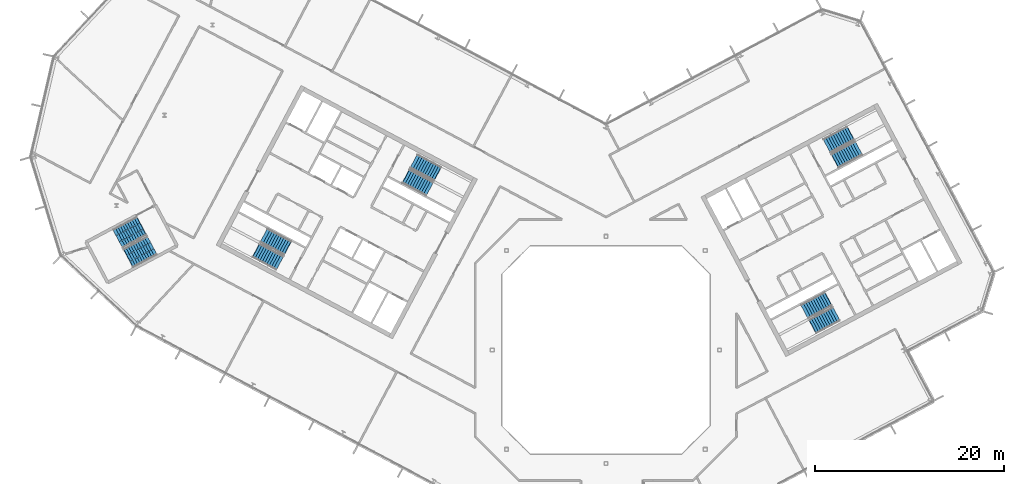
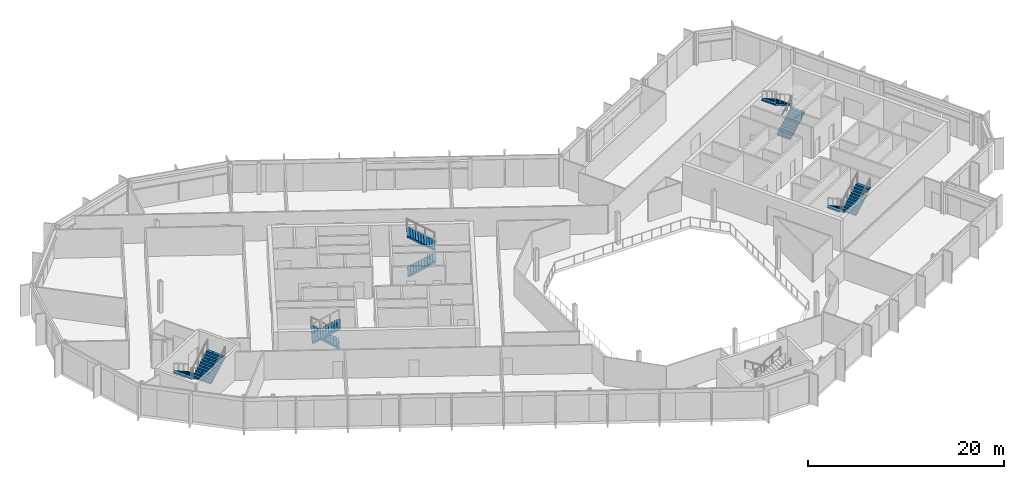
# One storey, part 18 of 26: 10 stair flights, 5 elements without a shape of their own.
"""IFC4 building model written with IfcOpenShell, lengths in metres."""

import ifcopenshell
import ifcopenshell.guid

model = None  # the IFC model being written
_history = None  # IfcOwnerHistory: only IFC2X3 demands one
_inside = {}  # id of a spatial element -> (the spatial element, [elements in it])
_under = {}  # id of a project, library or spatial element -> (it, [spatial elements below it])
_declared = {}  # id of a project -> (the project, [libraries it declares])
_typed = {}  # id of a type object -> (the type object, [elements of that type])
_made_of = {}  # id of a material, layer set ... -> (it, [elements and type objects made of it])


def new_model(schema):
    """Start an empty IFC model of exactly this schema.

    Asked for "IFC4X3", IfcOpenShell would pick the latest addendum, in which some entities
    have other attributes; the version numbers below select the first issue.
    IFC2X3 requires an IfcOwnerHistory on every rooted entity: one is made here for all.
    """
    global model, _history
    if schema == "IFC4X3":
        model = ifcopenshell.file(schema_version=(4, 3, 0, 0))
    else:
        model = ifcopenshell.file(schema=schema)
    _inside.clear()
    _under.clear()
    _declared.clear()
    _typed.clear()
    _made_of.clear()
    _history = None
    if model.schema == "IFC2X3":
        org = make("IfcOrganization", Name="unknown")
        user = make(
            "IfcPersonAndOrganization",
            ThePerson=make("IfcPerson", FamilyName="unknown"),
            TheOrganization=org,
        )
        app = make(
            "IfcApplication",
            ApplicationDeveloper=org,
            Version="unknown",
            ApplicationFullName="unknown",
            ApplicationIdentifier="unknown",
        )
        _history = make(
            "IfcOwnerHistory",
            OwningUser=user,
            OwningApplication=app,
            ChangeAction="ADDED",
            CreationDate=0,
        )
    return model


def make(cls, **values):
    """One entity of the class cls with the attributes given. An attribute that is None is left unset."""
    return model.create_entity(
        cls, **{name: value for name, value in values.items() if value is not None}
    )


def rooted(cls, **values):
    """An entity with a GlobalId (a new one), such as an element, a storey or a relation."""
    return make(cls, GlobalId=ifcopenshell.guid.new(), OwnerHistory=_history, **values)


def si_unit(unit_type, name, prefix=None):
    """IfcSIUnit, for example si_unit("LENGTHUNIT", "METRE", prefix="MILLI")."""
    return make("IfcSIUnit", UnitType=unit_type, Prefix=prefix, Name=name)


def assignment(units):
    """IfcUnitAssignment: the units of a project."""
    return None if units is None else make("IfcUnitAssignment", Units=units)


def point(xyz):
    """IfcCartesianPoint."""
    return None if xyz is None else make("IfcCartesianPoint", Coordinates=xyz)


def direction(xyz):
    """IfcDirection."""
    return None if xyz is None else make("IfcDirection", DirectionRatios=xyz)


def frame(location, z_axis=None, x_axis=None):
    """IfcAxis2Placement3D, a coordinate frame: its origin and axes. An axis left out is left unset."""
    return make(
        "IfcAxis2Placement3D",
        Location=point(location),
        Axis=direction(z_axis),
        RefDirection=direction(x_axis),
    )


def origin():
    """The frame at (0, 0, 0) with its axes left unset."""
    return frame((0.0, 0.0, 0.0))


def place(relative_to, where):
    """IfcLocalPlacement: puts the frame where relative to a parent placement (None: the world)."""
    return make(
        "IfcLocalPlacement", PlacementRelTo=relative_to, RelativePlacement=where
    )


def context(
    kind, dimensions, precision=None, world=None, true_north=None, identifier=None
):
    """IfcGeometricRepresentationContext, for example the 3D "Model" context."""
    return make(
        "IfcGeometricRepresentationContext",
        ContextIdentifier=identifier,
        ContextType=kind,
        CoordinateSpaceDimension=dimensions,
        Precision=precision,
        WorldCoordinateSystem=world,
        TrueNorth=true_north,
    )


def subcontext(parent, identifier, kind, view, scale=None):
    """IfcGeometricRepresentationSubContext, for example "Body" below "Model"."""
    return make(
        "IfcGeometricRepresentationSubContext",
        ContextIdentifier=identifier,
        ContextType=kind,
        ParentContext=parent,
        TargetScale=scale,
        TargetView=view,
    )


def project(units=None, contexts=None):
    """IfcProject with its units and contexts."""
    return rooted(
        "IfcProject",
        Name="project",
        RepresentationContexts=contexts,
        UnitsInContext=assignment(units),
    )


def spatial(cls, under=None, at=None, **own):
    """A site, building, storey or space (cls), placed at a placement, below another one or the project."""
    s = rooted(cls, ObjectPlacement=at, **own)
    if under is not None:
        _under.setdefault(under.id(), (under, []))[1].append(s)
    return s


def polyline(points):
    """IfcPolyline through the points."""
    return make("IfcPolyline", Points=[point(p) for p in points])


def outline(outer, holes=None, kind="AREA"):
    """IfcArbitraryClosedProfileDef: a profile drawn as a closed curve; with holes, ...WithVoids."""
    if holes is None:
        return make("IfcArbitraryClosedProfileDef", ProfileType=kind, OuterCurve=outer)
    return make(
        "IfcArbitraryProfileDefWithVoids",
        ProfileType=kind,
        OuterCurve=outer,
        InnerCurves=holes,
    )


def extrude(swept, where, along, depth):
    """IfcExtrudedAreaSolid: the profile swept, set in the frame where, extruded along a direction by depth."""
    return make(
        "IfcExtrudedAreaSolid",
        SweptArea=swept,
        Position=where,
        ExtrudedDirection=direction(along),
        Depth=depth,
    )


def shape(context_of_items, identifier, shape_type, items):
    """IfcShapeRepresentation: the items that make up one representation, for example the "Body"."""
    return make(
        "IfcShapeRepresentation",
        ContextOfItems=context_of_items,
        RepresentationIdentifier=identifier,
        RepresentationType=shape_type,
        Items=items,
    )


def material(Name=None, Category=None):
    """IfcMaterial."""
    return make("IfcMaterial", Name=Name, Category=Category)


def made_of(thing, what):
    """Note that an element or type object is made of a material, layer set ...; save() writes the relation."""
    if what is not None:
        _made_of.setdefault(what.id(), (what, []))[1].append(thing)
    return thing


def type_object(cls, material=None, **own):
    """A type object (cls), such as IfcWallType, which elements share."""
    return made_of(rooted(cls, **own), material)


def element(
    cls,
    number,
    at=None,
    inside=None,
    cuts=None,
    type_object=None,
    material=None,
    context=None,
    identifier="Body",
    shape_type=None,
    held_by="IfcProductDefinitionShape",
    body=None,
    shapes=None,
    **own,
):
    """One element of the class cls, such as IfcWall. Its Tag is "e" and its number.

    at: its placement. inside: the storey or other place that contains it. cuts: it is an
    opening in that element (IfcRelVoidsElement). A single representation is given by context,
    identifier, shape_type and body (its items); several are given by shapes. held_by: the class
    of the entity that holds the representations. save() writes the other relations.
    """
    e = rooted(cls, Tag="e%d" % number, ObjectPlacement=at, **own)
    if body is not None:
        shapes = [shape(context, identifier, shape_type, body)]
    if shapes is not None:
        e.Representation = make(held_by, Representations=shapes)
    if inside is not None:
        _inside.setdefault(inside.id(), (inside, []))[1].append(e)
    if cuts is not None:
        rooted(
            "IfcRelVoidsElement", RelatingBuildingElement=cuts, RelatedOpeningElement=e
        )
    if type_object is not None:
        _typed.setdefault(type_object.id(), (type_object, []))[1].append(e)
    return made_of(e, material)


def aggregate(whole, parts):
    """IfcRelAggregates: a whole, such as a stair, and the parts it consists of."""
    return rooted("IfcRelAggregates", RelatingObject=whole, RelatedObjects=parts)


def save(model, path):
    """Write the relations noted so far, then the file.

    IfcRelAggregates (storeys below a building ...), IfcRelContainedInSpatialStructure (elements
    in a storey), IfcRelDefinesByType, IfcRelAssociatesMaterial and IfcRelDeclares: one each for
    every whole, place, type object, material and project.
    """
    for whole, parts in _under.values():
        aggregate(whole, parts)
    for where, things in _inside.values():
        rooted(
            "IfcRelContainedInSpatialStructure",
            RelatedElements=things,
            RelatingStructure=where,
        )
    for kind, things in _typed.values():
        rooted("IfcRelDefinesByType", RelatedObjects=things, RelatingType=kind)
    for what, things in _made_of.values():
        rooted("IfcRelAssociatesMaterial", RelatedObjects=things, RelatingMaterial=what)
    for by, libraries in _declared.values():
        rooted("IfcRelDeclares", RelatingContext=by, RelatedDefinitions=libraries)
    model.write(path)


model = new_model("IFC4")

# Units and contexts
model_context = context("Model", 3, precision=1e-05, world=origin(), true_north=direction((0.0, 1.0)))
body_context = subcontext(model_context, "Body", "Model", "MODEL_VIEW")
ifc_project = project(units=[si_unit("LENGTHUNIT", "METRE"), si_unit("AREAUNIT", "SQUARE_METRE"), si_unit("VOLUMEUNIT", "CUBIC_METRE"), si_unit("PLANEANGLEUNIT", "RADIAN"), si_unit("MASSUNIT", "GRAM", prefix="KILO")], contexts=[model_context])

# Site, building, storey
site_placement = place(None, origin())
site = spatial("IfcSite", under=ifc_project, at=site_placement, CompositionType="ELEMENT")
building_placement = place(site_placement, origin())
building = spatial("IfcBuilding", under=site, at=building_placement, Name="Cormorant Relay Tower", CompositionType="ELEMENT")
storey_placement = place(building_placement, frame((0.0, 0.0, 304.800048828125)))
storey = spatial("IfcBuildingStorey", under=building, at=storey_placement, Name="L69", CompositionType="ELEMENT", Elevation=304.800048828125)

# Stair, stair flights
ifc_material_1 = material(Name="Concrete 40 MPa", Category="concrete")
stair_type_1 = type_object("IfcStairType", Name="Exit stair 1500", PredefinedType="HALF_TURN_STAIR", material=ifc_material_1)
stair_1_placement = place(storey_placement, origin())
stair_1 = element("IfcStair", 1, at=stair_1_placement, inside=storey, type_object=stair_type_1, Name="L69 Stair", PredefinedType="HALF_TURN_STAIR")
ifc_material_2 = material(Name="Concrete 40 MPa", Category="concrete")
stair_flight_type_1 = type_object("IfcStairFlightType", Name="Exit stair flight 1650", PredefinedType="STRAIGHT", material=ifc_material_2)
stair_flight_1_placement = place(storey_placement, frame((-21.114501953125, 18.33349609375, 0.0), z_axis=(0.0, 0.0, 1.0), x_axis=(0.882947592859, -0.469471562786, 0.0)))
stair_flight_1 = element("IfcStairFlight", 2, at=stair_flight_1_placement, type_object=stair_flight_type_1, Name="A1 flight 1", NumberOfRisers=11, NumberOfTreads=10, PredefinedType="STRAIGHT", RiserHeight=0.177272727, TreadLength=0.28, context=body_context, shape_type="SweptSolid", body=[
    extrude(outline(polyline([(-0.050048828125, -0.080078125), (-0.050048828125, 0.0), (0.0, 0.0), (0.0, 0.17724609375), (0.280029296875, 0.17724609375), (0.280029296875, 0.3544921875), (0.56005859375, 0.3544921875), (0.56005859375, 0.53173828125), (0.840087890625, 0.53173828125), (0.840087890625, 0.708984375), (1.1201171875, 0.708984375), (1.1201171875, 0.886474609375), (1.39990234375, 0.886474609375), (1.39990234375, 1.063720703125), (1.679931640625, 1.063720703125), (1.679931640625, 1.240966796875), (1.9599609375, 1.240966796875), (1.9599609375, 1.418212890625), (2.239990234375, 1.418212890625), (2.239990234375, 1.595458984375), (2.52001953125, 1.595458984375), (2.52001953125, 1.772705078125), (2.800048828125, 1.772705078125), (2.85009765625, 1.772705078125), (2.85009765625, 1.59521484375), (2.800048828125, 1.59521484375), (0.2802734375, 0.0), (-0.050048828125, -0.080078125)])), frame((0.0, 0.824951171875, 0.0), z_axis=(0.0, -1.0, 0.0), x_axis=(1.0, 0.0, 0.0)), (0.0, 0.0, 1.0), 1.64990234375),
])
stair_flight_2_placement = place(storey_placement, frame((-17.797119140625, 18.6083984375, 1.949951171875), z_axis=(0.0, 0.0, 1.0), x_axis=(-0.882947592859, 0.469471562786, 0.0)))
stair_flight_2 = element("IfcStairFlight", 3, at=stair_flight_2_placement, type_object=stair_flight_type_1, Name="A1 flight 2", NumberOfRisers=11, NumberOfTreads=10, PredefinedType="STRAIGHT", RiserHeight=0.177272727, TreadLength=0.28, context=body_context, shape_type="SweptSolid", body=[
    extrude(outline(polyline([(-0.050048828125, -0.080078125), (-0.050048828125, 0.0), (0.0, 0.0), (0.0, 0.17724609375), (0.280029296875, 0.17724609375), (0.280029296875, 0.3544921875), (0.56005859375, 0.3544921875), (0.56005859375, 0.53173828125), (0.840087890625, 0.53173828125), (0.840087890625, 0.708984375), (1.1201171875, 0.708984375), (1.1201171875, 0.886474609375), (1.39990234375, 0.886474609375), (1.39990234375, 1.063720703125), (1.679931640625, 1.063720703125), (1.679931640625, 1.240966796875), (1.9599609375, 1.240966796875), (1.9599609375, 1.418212890625), (2.239990234375, 1.418212890625), (2.239990234375, 1.595458984375), (2.52001953125, 1.595458984375), (2.52001953125, 1.772705078125), (2.800048828125, 1.772705078125), (2.85009765625, 1.772705078125), (2.85009765625, 1.59521484375), (2.800048828125, 1.59521484375), (0.2802734375, 0.0), (-0.050048828125, -0.080078125)])), frame((0.0, 0.824951171875, 0.0), z_axis=(0.0, -1.0, 0.0), x_axis=(1.0, 0.0, 0.0)), (0.0, 0.0, 1.0), 1.64990234375),
])
aggregate(stair_1, [stair_flight_1, stair_flight_2])

stair_2_placement = place(storey_placement, origin())
stair_2 = element("IfcStair", 4, at=stair_2_placement, inside=storey, type_object=stair_type_1, Name="L69 Stair", PredefinedType="HALF_TURN_STAIR")
stair_flight_3_placement = place(storey_placement, frame((-33.62841796875, 10.773681640625, 0.0), z_axis=(0.0, 0.0, 1.0), x_axis=(-0.882947592859, 0.469471562786, 0.0)))
stair_flight_3 = element("IfcStairFlight", 5, at=stair_flight_3_placement, type_object=stair_flight_type_1, Name="A2 flight 1", NumberOfRisers=11, NumberOfTreads=10, PredefinedType="STRAIGHT", RiserHeight=0.177272727, TreadLength=0.28, context=body_context, shape_type="SweptSolid", body=[
    extrude(outline(polyline([(-0.050048828125, -0.080078125), (-0.050048828125, 0.0), (0.0, 0.0), (0.0, 0.17724609375), (0.280029296875, 0.17724609375), (0.280029296875, 0.3544921875), (0.56005859375, 0.3544921875), (0.56005859375, 0.53173828125), (0.840087890625, 0.53173828125), (0.840087890625, 0.708984375), (1.1201171875, 0.708984375), (1.1201171875, 0.886474609375), (1.39990234375, 0.886474609375), (1.39990234375, 1.063720703125), (1.679931640625, 1.063720703125), (1.679931640625, 1.240966796875), (1.9599609375, 1.240966796875), (1.9599609375, 1.418212890625), (2.239990234375, 1.418212890625), (2.239990234375, 1.595458984375), (2.52001953125, 1.595458984375), (2.52001953125, 1.772705078125), (2.800048828125, 1.772705078125), (2.85009765625, 1.772705078125), (2.85009765625, 1.59521484375), (2.800048828125, 1.59521484375), (0.2802734375, 0.0), (-0.050048828125, -0.080078125)])), frame((0.0, 0.824951171875, 0.0), z_axis=(0.0, -1.0, 0.0), x_axis=(1.0, 0.0, 0.0)), (0.0, 0.0, 1.0), 1.64990234375),
])
stair_flight_4_placement = place(storey_placement, frame((-36.945556640625, 10.498779296875, 1.949951171875), z_axis=(0.0, 0.0, 1.0), x_axis=(0.882947592859, -0.469471562786, 0.0)))
stair_flight_4 = element("IfcStairFlight", 6, at=stair_flight_4_placement, type_object=stair_flight_type_1, Name="A2 flight 2", NumberOfRisers=11, NumberOfTreads=10, PredefinedType="STRAIGHT", RiserHeight=0.177272727, TreadLength=0.28, context=body_context, shape_type="SweptSolid", body=[
    extrude(outline(polyline([(-0.050048828125, -0.080078125), (-0.050048828125, 0.0), (0.0, 0.0), (0.0, 0.17724609375), (0.280029296875, 0.17724609375), (0.280029296875, 0.3544921875), (0.56005859375, 0.3544921875), (0.56005859375, 0.53173828125), (0.840087890625, 0.53173828125), (0.840087890625, 0.708984375), (1.1201171875, 0.708984375), (1.1201171875, 0.886474609375), (1.39990234375, 0.886474609375), (1.39990234375, 1.063720703125), (1.679931640625, 1.063720703125), (1.679931640625, 1.240966796875), (1.9599609375, 1.240966796875), (1.9599609375, 1.418212890625), (2.239990234375, 1.418212890625), (2.239990234375, 1.595458984375), (2.52001953125, 1.595458984375), (2.52001953125, 1.772705078125), (2.800048828125, 1.772705078125), (2.85009765625, 1.772705078125), (2.85009765625, 1.59521484375), (2.800048828125, 1.59521484375), (0.2802734375, 0.0), (-0.050048828125, -0.080078125)])), frame((0.0, 0.824951171875, 0.0), z_axis=(0.0, -1.0, 0.0), x_axis=(1.0, 0.0, 0.0)), (0.0, 0.0, 1.0), 1.64990234375),
])
aggregate(stair_2, [stair_flight_3, stair_flight_4])

stair_3_placement = place(storey_placement, origin())
stair_3 = element("IfcStair", 7, at=stair_3_placement, inside=storey, type_object=stair_type_1, Name="L69 Stair", PredefinedType="HALF_TURN_STAIR")
stair_flight_5_placement = place(storey_placement, frame((23.474365234375, 5.374755859375, 0.0), z_axis=(0.0, 0.0, 1.0), x_axis=(-0.882947592859, -0.469471562786, 0.0)))
stair_flight_5 = element("IfcStairFlight", 8, at=stair_flight_5_placement, type_object=stair_flight_type_1, Name="B1 flight 1", NumberOfRisers=11, NumberOfTreads=10, PredefinedType="STRAIGHT", RiserHeight=0.177272727, TreadLength=0.28, context=body_context, shape_type="SweptSolid", body=[
    extrude(outline(polyline([(-0.050048828125, -0.080078125), (-0.050048828125, 0.0), (0.0, 0.0), (0.0, 0.17724609375), (0.280029296875, 0.17724609375), (0.280029296875, 0.3544921875), (0.56005859375, 0.3544921875), (0.56005859375, 0.53173828125), (0.840087890625, 0.53173828125), (0.840087890625, 0.708984375), (1.1201171875, 0.708984375), (1.1201171875, 0.886474609375), (1.39990234375, 0.886474609375), (1.39990234375, 1.063720703125), (1.679931640625, 1.063720703125), (1.679931640625, 1.240966796875), (1.9599609375, 1.240966796875), (1.9599609375, 1.418212890625), (2.239990234375, 1.418212890625), (2.239990234375, 1.595458984375), (2.52001953125, 1.595458984375), (2.52001953125, 1.772705078125), (2.800048828125, 1.772705078125), (2.85009765625, 1.772705078125), (2.85009765625, 1.59521484375), (2.800048828125, 1.59521484375), (0.2802734375, 0.0), (-0.050048828125, -0.080078125)])), frame((0.0, 0.824951171875, 0.0), z_axis=(0.0, -1.0, 0.0), x_axis=(1.0, 0.0, 0.0)), (0.0, 0.0, 1.0), 1.64990234375),
])
stair_flight_6_placement = place(storey_placement, frame((21.84716796875, 2.470947265625, 1.949951171875), z_axis=(0.0, 0.0, 1.0), x_axis=(0.882947592859, 0.469471562786, 0.0)))
stair_flight_6 = element("IfcStairFlight", 9, at=stair_flight_6_placement, type_object=stair_flight_type_1, Name="B1 flight 2", NumberOfRisers=11, NumberOfTreads=10, PredefinedType="STRAIGHT", RiserHeight=0.177272727, TreadLength=0.28, context=body_context, shape_type="SweptSolid", body=[
    extrude(outline(polyline([(-0.050048828125, -0.080078125), (-0.050048828125, 0.0), (0.0, 0.0), (0.0, 0.17724609375), (0.280029296875, 0.17724609375), (0.280029296875, 0.3544921875), (0.56005859375, 0.3544921875), (0.56005859375, 0.53173828125), (0.840087890625, 0.53173828125), (0.840087890625, 0.708984375), (1.1201171875, 0.708984375), (1.1201171875, 0.886474609375), (1.39990234375, 0.886474609375), (1.39990234375, 1.063720703125), (1.679931640625, 1.063720703125), (1.679931640625, 1.240966796875), (1.9599609375, 1.240966796875), (1.9599609375, 1.418212890625), (2.239990234375, 1.418212890625), (2.239990234375, 1.595458984375), (2.52001953125, 1.595458984375), (2.52001953125, 1.772705078125), (2.800048828125, 1.772705078125), (2.85009765625, 1.772705078125), (2.85009765625, 1.59521484375), (2.800048828125, 1.59521484375), (0.2802734375, 0.0), (-0.050048828125, -0.080078125)])), frame((0.0, 0.824951171875, 0.0), z_axis=(0.0, -1.0, 0.0), x_axis=(1.0, 0.0, 0.0)), (0.0, 0.0, 1.0), 1.64990234375),
])
aggregate(stair_3, [stair_flight_5, stair_flight_6])

stair_4_placement = place(storey_placement, origin())
stair_4 = element("IfcStair", 10, at=stair_4_placement, inside=storey, type_object=stair_type_1, Name="L69 Stair", PredefinedType="HALF_TURN_STAIR")
stair_flight_7_placement = place(storey_placement, frame((24.20458984375, 19.976806640625, 0.0), z_axis=(0.0, 0.0, 1.0), x_axis=(0.882947592859, 0.469471562786, 0.0)))
stair_flight_7 = element("IfcStairFlight", 11, at=stair_flight_7_placement, type_object=stair_flight_type_1, Name="B2 flight 1", NumberOfRisers=11, NumberOfTreads=10, PredefinedType="STRAIGHT", RiserHeight=0.177272727, TreadLength=0.28, context=body_context, shape_type="SweptSolid", body=[
    extrude(outline(polyline([(-0.050048828125, -0.080078125), (-0.050048828125, 0.0), (0.0, 0.0), (0.0, 0.17724609375), (0.280029296875, 0.17724609375), (0.280029296875, 0.3544921875), (0.56005859375, 0.3544921875), (0.56005859375, 0.53173828125), (0.840087890625, 0.53173828125), (0.840087890625, 0.708984375), (1.1201171875, 0.708984375), (1.1201171875, 0.886474609375), (1.39990234375, 0.886474609375), (1.39990234375, 1.063720703125), (1.679931640625, 1.063720703125), (1.679931640625, 1.240966796875), (1.9599609375, 1.240966796875), (1.9599609375, 1.418212890625), (2.239990234375, 1.418212890625), (2.239990234375, 1.595458984375), (2.52001953125, 1.595458984375), (2.52001953125, 1.772705078125), (2.800048828125, 1.772705078125), (2.85009765625, 1.772705078125), (2.85009765625, 1.59521484375), (2.800048828125, 1.59521484375), (0.2802734375, 0.0), (-0.050048828125, -0.080078125)])), frame((0.0, 0.824951171875, 0.0), z_axis=(0.0, -1.0, 0.0), x_axis=(1.0, 0.0, 0.0)), (0.0, 0.0, 1.0), 1.64990234375),
])
stair_flight_8_placement = place(storey_placement, frame((25.831787109375, 22.880615234375, 1.949951171875), z_axis=(0.0, 0.0, 1.0), x_axis=(-0.882947592859, -0.469471562786, 0.0)))
stair_flight_8 = element("IfcStairFlight", 12, at=stair_flight_8_placement, type_object=stair_flight_type_1, Name="B2 flight 2", NumberOfRisers=11, NumberOfTreads=10, PredefinedType="STRAIGHT", RiserHeight=0.177272727, TreadLength=0.28, context=body_context, shape_type="SweptSolid", body=[
    extrude(outline(polyline([(-0.050048828125, -0.080078125), (-0.050048828125, 0.0), (0.0, 0.0), (0.0, 0.17724609375), (0.280029296875, 0.17724609375), (0.280029296875, 0.3544921875), (0.56005859375, 0.3544921875), (0.56005859375, 0.53173828125), (0.840087890625, 0.53173828125), (0.840087890625, 0.708984375), (1.1201171875, 0.708984375), (1.1201171875, 0.886474609375), (1.39990234375, 0.886474609375), (1.39990234375, 1.063720703125), (1.679931640625, 1.063720703125), (1.679931640625, 1.240966796875), (1.9599609375, 1.240966796875), (1.9599609375, 1.418212890625), (2.239990234375, 1.418212890625), (2.239990234375, 1.595458984375), (2.52001953125, 1.595458984375), (2.52001953125, 1.772705078125), (2.800048828125, 1.772705078125), (2.85009765625, 1.772705078125), (2.85009765625, 1.59521484375), (2.800048828125, 1.59521484375), (0.2802734375, 0.0), (-0.050048828125, -0.080078125)])), frame((0.0, 0.824951171875, 0.0), z_axis=(0.0, -1.0, 0.0), x_axis=(1.0, 0.0, 0.0)), (0.0, 0.0, 1.0), 1.64990234375),
])
aggregate(stair_4, [stair_flight_7, stair_flight_8])

ifc_material_3 = material(Name="Concrete 40 MPa", Category="concrete")
stair_type_2 = type_object("IfcStairType", Name="Remote exit stair 2200", PredefinedType="HALF_TURN_STAIR", material=ifc_material_3)
stair_5_placement = place(storey_placement, origin())
stair_5 = element("IfcStair", 13, at=stair_5_placement, inside=storey, type_object=stair_type_2, Name="L69 Stair", PredefinedType="HALF_TURN_STAIR")
ifc_material_4 = material(Name="Concrete 40 MPa", Category="concrete")
stair_flight_type_2 = type_object("IfcStairFlightType", Name="Remote exit stair flight 2200", PredefinedType="STRAIGHT", material=ifc_material_4)
stair_flight_9_placement = place(storey_placement, frame((-49.062255859375, 13.08251953125, 0.0), z_axis=(0.0, 0.0, 1.0), x_axis=(-0.882947502727, -0.4694717323, 0.0)))
stair_flight_9 = element("IfcStairFlight", 14, at=stair_flight_9_placement, type_object=stair_flight_type_2, Name="RP1 flight 1", NumberOfRisers=11, NumberOfTreads=10, PredefinedType="STRAIGHT", RiserHeight=0.177272727, TreadLength=0.28, context=body_context, shape_type="SweptSolid", body=[
    extrude(outline(polyline([(-0.050048828125, -0.080078125), (-0.050048828125, 0.0), (0.0, 0.0), (0.0, 0.17724609375), (0.280029296875, 0.17724609375), (0.280029296875, 0.3544921875), (0.56005859375, 0.3544921875), (0.56005859375, 0.53173828125), (0.840087890625, 0.53173828125), (0.840087890625, 0.708984375), (1.1201171875, 0.708984375), (1.1201171875, 0.886474609375), (1.39990234375, 0.886474609375), (1.39990234375, 1.063720703125), (1.679931640625, 1.063720703125), (1.679931640625, 1.240966796875), (1.9599609375, 1.240966796875), (1.9599609375, 1.418212890625), (2.239990234375, 1.418212890625), (2.239990234375, 1.595458984375), (2.52001953125, 1.595458984375), (2.52001953125, 1.772705078125), (2.800048828125, 1.772705078125), (2.85009765625, 1.772705078125), (2.85009765625, 1.59521484375), (2.800048828125, 1.59521484375), (0.2802734375, 0.0), (-0.050048828125, -0.080078125)])), frame((0.0, 1.10009765625, 0.0), z_axis=(0.0, -1.0, 0.0), x_axis=(1.0, 0.0, 0.0)), (0.0, 0.0, 1.0), 0.719970703125),
    extrude(outline(polyline([(-0.050048828125, -0.080078125), (-0.050048828125, 0.0), (0.0, 0.0), (0.0, 0.17724609375), (0.280029296875, 0.17724609375), (0.280029296875, 0.3544921875), (0.56005859375, 0.3544921875), (0.56005859375, 0.53173828125), (0.840087890625, 0.53173828125), (0.840087890625, 0.708984375), (1.1201171875, 0.708984375), (1.1201171875, 0.886474609375), (1.39990234375, 0.886474609375), (1.39990234375, 1.063720703125), (1.679931640625, 1.063720703125), (1.679931640625, 1.240966796875), (1.9599609375, 1.240966796875), (1.9599609375, 1.418212890625), (2.239990234375, 1.418212890625), (2.239990234375, 1.595458984375), (2.52001953125, 1.595458984375), (2.52001953125, 1.772705078125), (2.800048828125, 1.772705078125), (2.85009765625, 1.772705078125), (2.85009765625, 1.59521484375), (2.800048828125, 1.59521484375), (0.2802734375, 0.0), (-0.050048828125, -0.080078125)])), frame((0.0, 0.360107421875, 0.0), z_axis=(0.0, -1.0, 0.0), x_axis=(1.0, 0.0, 0.0)), (0.0, 0.0, 1.0), 0.719970703125),
    extrude(outline(polyline([(-0.050048828125, -0.080078125), (-0.050048828125, 0.0), (0.0, 0.0), (0.0, 0.17724609375), (0.280029296875, 0.17724609375), (0.280029296875, 0.3544921875), (0.56005859375, 0.3544921875), (0.56005859375, 0.53173828125), (0.840087890625, 0.53173828125), (0.840087890625, 0.708984375), (1.1201171875, 0.708984375), (1.1201171875, 0.886474609375), (1.39990234375, 0.886474609375), (1.39990234375, 1.063720703125), (1.679931640625, 1.063720703125), (1.679931640625, 1.240966796875), (1.9599609375, 1.240966796875), (1.9599609375, 1.418212890625), (2.239990234375, 1.418212890625), (2.239990234375, 1.595458984375), (2.52001953125, 1.595458984375), (2.52001953125, 1.772705078125), (2.800048828125, 1.772705078125), (2.85009765625, 1.772705078125), (2.85009765625, 1.59521484375), (2.800048828125, 1.59521484375), (0.2802734375, 0.0), (-0.050048828125, -0.080078125)])), frame((0.0, -0.3798828125, 0.0), z_axis=(0.0, -1.0, 0.0), x_axis=(1.0, 0.0, 0.0)), (0.0, 0.0, 1.0), 0.719970703125),
])
stair_flight_10_placement = place(storey_placement, frame((-50.431396484375, 9.693115234375, 1.949951171875), z_axis=(0.0, 0.0, 1.0), x_axis=(0.882947502727, 0.4694717323, 0.0)))
stair_flight_10 = element("IfcStairFlight", 15, at=stair_flight_10_placement, type_object=stair_flight_type_2, Name="RP1 flight 2", NumberOfRisers=11, NumberOfTreads=10, PredefinedType="STRAIGHT", RiserHeight=0.177272727, TreadLength=0.28, context=body_context, shape_type="SweptSolid", body=[
    extrude(outline(polyline([(-0.050048828125, -0.080078125), (-0.050048828125, 0.0), (0.0, 0.0), (0.0, 0.17724609375), (0.280029296875, 0.17724609375), (0.280029296875, 0.3544921875), (0.56005859375, 0.3544921875), (0.56005859375, 0.53173828125), (0.840087890625, 0.53173828125), (0.840087890625, 0.708984375), (1.1201171875, 0.708984375), (1.1201171875, 0.886474609375), (1.39990234375, 0.886474609375), (1.39990234375, 1.063720703125), (1.679931640625, 1.063720703125), (1.679931640625, 1.240966796875), (1.9599609375, 1.240966796875), (1.9599609375, 1.418212890625), (2.239990234375, 1.418212890625), (2.239990234375, 1.595458984375), (2.52001953125, 1.595458984375), (2.52001953125, 1.772705078125), (2.800048828125, 1.772705078125), (2.85009765625, 1.772705078125), (2.85009765625, 1.59521484375), (2.800048828125, 1.59521484375), (0.2802734375, 0.0), (-0.050048828125, -0.080078125)])), frame((0.0, 1.10009765625, 0.0), z_axis=(0.0, -1.0, 0.0), x_axis=(1.0, 0.0, 0.0)), (0.0, 0.0, 1.0), 0.719970703125),
    extrude(outline(polyline([(-0.050048828125, -0.080078125), (-0.050048828125, 0.0), (0.0, 0.0), (0.0, 0.17724609375), (0.280029296875, 0.17724609375), (0.280029296875, 0.3544921875), (0.56005859375, 0.3544921875), (0.56005859375, 0.53173828125), (0.840087890625, 0.53173828125), (0.840087890625, 0.708984375), (1.1201171875, 0.708984375), (1.1201171875, 0.886474609375), (1.39990234375, 0.886474609375), (1.39990234375, 1.063720703125), (1.679931640625, 1.063720703125), (1.679931640625, 1.240966796875), (1.9599609375, 1.240966796875), (1.9599609375, 1.418212890625), (2.239990234375, 1.418212890625), (2.239990234375, 1.595458984375), (2.52001953125, 1.595458984375), (2.52001953125, 1.772705078125), (2.800048828125, 1.772705078125), (2.85009765625, 1.772705078125), (2.85009765625, 1.59521484375), (2.800048828125, 1.59521484375), (0.2802734375, 0.0), (-0.050048828125, -0.080078125)])), frame((0.0, 0.360107421875, 0.0), z_axis=(0.0, -1.0, 0.0), x_axis=(1.0, 0.0, 0.0)), (0.0, 0.0, 1.0), 0.719970703125),
    extrude(outline(polyline([(-0.050048828125, -0.080078125), (-0.050048828125, 0.0), (0.0, 0.0), (0.0, 0.17724609375), (0.280029296875, 0.17724609375), (0.280029296875, 0.3544921875), (0.56005859375, 0.3544921875), (0.56005859375, 0.53173828125), (0.840087890625, 0.53173828125), (0.840087890625, 0.708984375), (1.1201171875, 0.708984375), (1.1201171875, 0.886474609375), (1.39990234375, 0.886474609375), (1.39990234375, 1.063720703125), (1.679931640625, 1.063720703125), (1.679931640625, 1.240966796875), (1.9599609375, 1.240966796875), (1.9599609375, 1.418212890625), (2.239990234375, 1.418212890625), (2.239990234375, 1.595458984375), (2.52001953125, 1.595458984375), (2.52001953125, 1.772705078125), (2.800048828125, 1.772705078125), (2.85009765625, 1.772705078125), (2.85009765625, 1.59521484375), (2.800048828125, 1.59521484375), (0.2802734375, 0.0), (-0.050048828125, -0.080078125)])), frame((0.0, -0.3798828125, 0.0), z_axis=(0.0, -1.0, 0.0), x_axis=(1.0, 0.0, 0.0)), (0.0, 0.0, 1.0), 0.719970703125),
])
aggregate(stair_5, [stair_flight_9, stair_flight_10])

save(model, "model.ifc")
